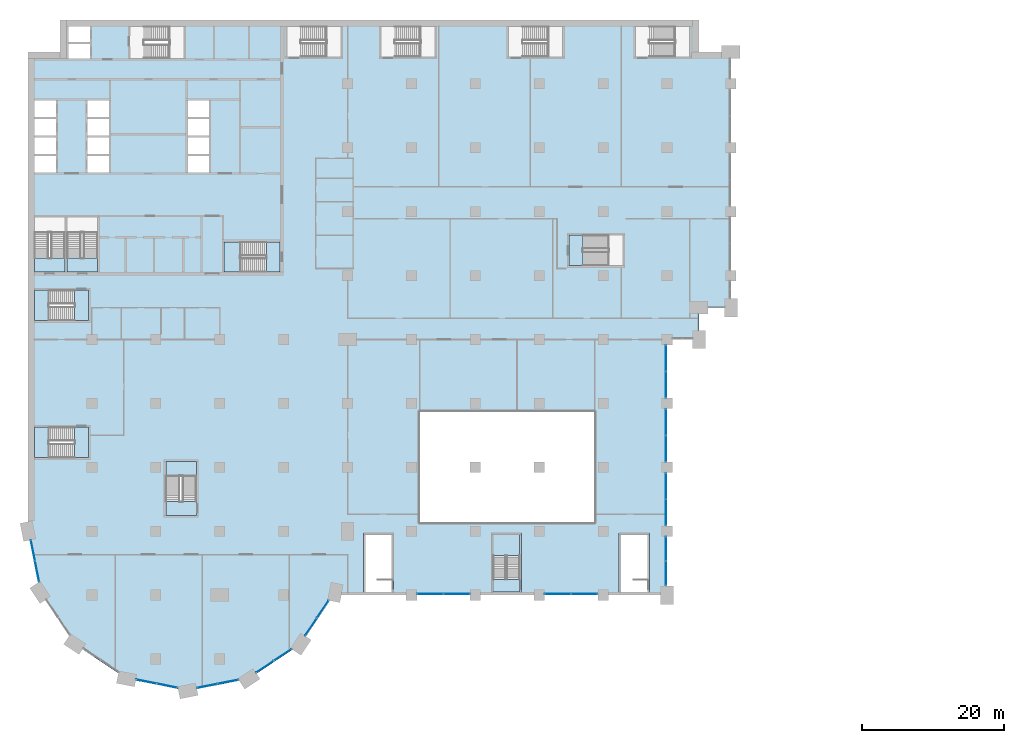
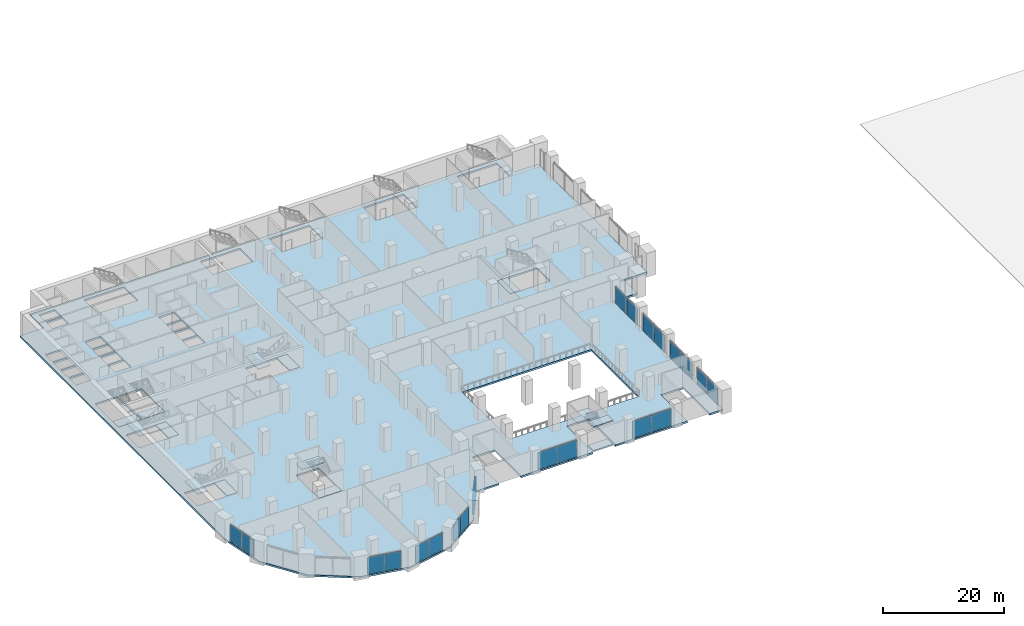
# One storey, part 9 of 32: 22 plates, 15 slabs, 16 elements without a shape of their own.
"""IFC4 building model written with IfcOpenShell, lengths in metres."""

import ifcopenshell
import ifcopenshell.guid

model = None  # the IFC model being written
_history = None  # IfcOwnerHistory: only IFC2X3 demands one
_inside = {}  # id of a spatial element -> (the spatial element, [elements in it])
_under = {}  # id of a project, library or spatial element -> (it, [spatial elements below it])
_declared = {}  # id of a project -> (the project, [libraries it declares])
_typed = {}  # id of a type object -> (the type object, [elements of that type])
_made_of = {}  # id of a material, layer set ... -> (it, [elements and type objects made of it])


def new_model(schema):
    """Start an empty IFC model of exactly this schema.

    Asked for "IFC4X3", IfcOpenShell would pick the latest addendum, in which some entities
    have other attributes; the version numbers below select the first issue.
    IFC2X3 requires an IfcOwnerHistory on every rooted entity: one is made here for all.
    """
    global model, _history
    if schema == "IFC4X3":
        model = ifcopenshell.file(schema_version=(4, 3, 0, 0))
    else:
        model = ifcopenshell.file(schema=schema)
    _inside.clear()
    _under.clear()
    _declared.clear()
    _typed.clear()
    _made_of.clear()
    _history = None
    if model.schema == "IFC2X3":
        org = make("IfcOrganization", Name="unknown")
        user = make(
            "IfcPersonAndOrganization",
            ThePerson=make("IfcPerson", FamilyName="unknown"),
            TheOrganization=org,
        )
        app = make(
            "IfcApplication",
            ApplicationDeveloper=org,
            Version="unknown",
            ApplicationFullName="unknown",
            ApplicationIdentifier="unknown",
        )
        _history = make(
            "IfcOwnerHistory",
            OwningUser=user,
            OwningApplication=app,
            ChangeAction="ADDED",
            CreationDate=0,
        )
    return model


def make(cls, **values):
    """One entity of the class cls with the attributes given. An attribute that is None is left unset."""
    return model.create_entity(
        cls, **{name: value for name, value in values.items() if value is not None}
    )


def rooted(cls, **values):
    """An entity with a GlobalId (a new one), such as an element, a storey or a relation."""
    return make(cls, GlobalId=ifcopenshell.guid.new(), OwnerHistory=_history, **values)


def si_unit(unit_type, name, prefix=None):
    """IfcSIUnit, for example si_unit("LENGTHUNIT", "METRE", prefix="MILLI")."""
    return make("IfcSIUnit", UnitType=unit_type, Prefix=prefix, Name=name)


def assignment(units):
    """IfcUnitAssignment: the units of a project."""
    return None if units is None else make("IfcUnitAssignment", Units=units)


def point(xyz):
    """IfcCartesianPoint."""
    return None if xyz is None else make("IfcCartesianPoint", Coordinates=xyz)


def direction(xyz):
    """IfcDirection."""
    return None if xyz is None else make("IfcDirection", DirectionRatios=xyz)


def frame(location, z_axis=None, x_axis=None):
    """IfcAxis2Placement3D, a coordinate frame: its origin and axes. An axis left out is left unset."""
    return make(
        "IfcAxis2Placement3D",
        Location=point(location),
        Axis=direction(z_axis),
        RefDirection=direction(x_axis),
    )


def frame_2d(location, x_axis=None):
    """IfcAxis2Placement2D, a coordinate frame in the plane: its origin and x axis."""
    return make(
        "IfcAxis2Placement2D", Location=point(location), RefDirection=direction(x_axis)
    )


def origin():
    """The frame at (0, 0, 0) with its axes left unset."""
    return frame((0.0, 0.0, 0.0))


def origin_2d():
    """The frame at (0, 0) in the plane with its x axis left unset."""
    return frame_2d((0.0, 0.0))


def place(relative_to, where):
    """IfcLocalPlacement: puts the frame where relative to a parent placement (None: the world)."""
    return make(
        "IfcLocalPlacement", PlacementRelTo=relative_to, RelativePlacement=where
    )


def context(
    kind, dimensions, precision=None, world=None, true_north=None, identifier=None
):
    """IfcGeometricRepresentationContext, for example the 3D "Model" context."""
    return make(
        "IfcGeometricRepresentationContext",
        ContextIdentifier=identifier,
        ContextType=kind,
        CoordinateSpaceDimension=dimensions,
        Precision=precision,
        WorldCoordinateSystem=world,
        TrueNorth=true_north,
    )


def subcontext(parent, identifier, kind, view, scale=None):
    """IfcGeometricRepresentationSubContext, for example "Body" below "Model"."""
    return make(
        "IfcGeometricRepresentationSubContext",
        ContextIdentifier=identifier,
        ContextType=kind,
        ParentContext=parent,
        TargetScale=scale,
        TargetView=view,
    )


def project(units=None, contexts=None):
    """IfcProject with its units and contexts."""
    return rooted(
        "IfcProject",
        Name="project",
        RepresentationContexts=contexts,
        UnitsInContext=assignment(units),
    )


def spatial(cls, under=None, at=None, **own):
    """A site, building, storey or space (cls), placed at a placement, below another one or the project."""
    s = rooted(cls, ObjectPlacement=at, **own)
    if under is not None:
        _under.setdefault(under.id(), (under, []))[1].append(s)
    return s


def polyline(points):
    """IfcPolyline through the points."""
    return make("IfcPolyline", Points=[point(p) for p in points])


def profile(cls, at=None, kind="AREA", **sizes):
    """A parametric profile (cls). Its sizes go by their IFC names, for example OverallWidth=200.0."""
    return make(cls, ProfileType=kind, Position=at, **sizes)


def rectangle(**sizes):
    """IfcRectangleProfileDef."""
    return profile("IfcRectangleProfileDef", **sizes)


def outline(outer, holes=None, kind="AREA"):
    """IfcArbitraryClosedProfileDef: a profile drawn as a closed curve; with holes, ...WithVoids."""
    if holes is None:
        return make("IfcArbitraryClosedProfileDef", ProfileType=kind, OuterCurve=outer)
    return make(
        "IfcArbitraryProfileDefWithVoids",
        ProfileType=kind,
        OuterCurve=outer,
        InnerCurves=holes,
    )


def extrude(swept, where, along, depth):
    """IfcExtrudedAreaSolid: the profile swept, set in the frame where, extruded along a direction by depth."""
    return make(
        "IfcExtrudedAreaSolid",
        SweptArea=swept,
        Position=where,
        ExtrudedDirection=direction(along),
        Depth=depth,
    )


def shape(context_of_items, identifier, shape_type, items):
    """IfcShapeRepresentation: the items that make up one representation, for example the "Body"."""
    return make(
        "IfcShapeRepresentation",
        ContextOfItems=context_of_items,
        RepresentationIdentifier=identifier,
        RepresentationType=shape_type,
        Items=items,
    )


def material(Name=None, Category=None):
    """IfcMaterial."""
    return make("IfcMaterial", Name=Name, Category=Category)


def layer(
    of_material, thickness, ventilated=None, Name=None, Category=None, Priority=None
):
    """IfcMaterialLayer: one layer of a wall or slab, of a material (None: an air gap)."""
    return make(
        "IfcMaterialLayer",
        Material=of_material,
        LayerThickness=thickness,
        IsVentilated=ventilated,
        Name=Name,
        Category=Category,
        Priority=Priority,
    )


def layer_set(layers, Name=None):
    """IfcMaterialLayerSet."""
    return make("IfcMaterialLayerSet", MaterialLayers=layers, LayerSetName=Name)


def made_of(thing, what):
    """Note that an element or type object is made of a material, layer set ...; save() writes the relation."""
    if what is not None:
        _made_of.setdefault(what.id(), (what, []))[1].append(thing)
    return thing


def type_object(cls, material=None, **own):
    """A type object (cls), such as IfcWallType, which elements share."""
    return made_of(rooted(cls, **own), material)


def element(
    cls,
    number,
    at=None,
    inside=None,
    cuts=None,
    type_object=None,
    material=None,
    context=None,
    identifier="Body",
    shape_type=None,
    held_by="IfcProductDefinitionShape",
    body=None,
    shapes=None,
    **own,
):
    """One element of the class cls, such as IfcWall. Its Tag is "e" and its number.

    at: its placement. inside: the storey or other place that contains it. cuts: it is an
    opening in that element (IfcRelVoidsElement). A single representation is given by context,
    identifier, shape_type and body (its items); several are given by shapes. held_by: the class
    of the entity that holds the representations. save() writes the other relations.
    """
    e = rooted(cls, Tag="e%d" % number, ObjectPlacement=at, **own)
    if body is not None:
        shapes = [shape(context, identifier, shape_type, body)]
    if shapes is not None:
        e.Representation = make(held_by, Representations=shapes)
    if inside is not None:
        _inside.setdefault(inside.id(), (inside, []))[1].append(e)
    if cuts is not None:
        rooted(
            "IfcRelVoidsElement", RelatingBuildingElement=cuts, RelatedOpeningElement=e
        )
    if type_object is not None:
        _typed.setdefault(type_object.id(), (type_object, []))[1].append(e)
    return made_of(e, material)


def aggregate(whole, parts):
    """IfcRelAggregates: a whole, such as a stair, and the parts it consists of."""
    return rooted("IfcRelAggregates", RelatingObject=whole, RelatedObjects=parts)


def save(model, path):
    """Write the relations noted so far, then the file.

    IfcRelAggregates (storeys below a building ...), IfcRelContainedInSpatialStructure (elements
    in a storey), IfcRelDefinesByType, IfcRelAssociatesMaterial and IfcRelDeclares: one each for
    every whole, place, type object, material and project.
    """
    for whole, parts in _under.values():
        aggregate(whole, parts)
    for where, things in _inside.values():
        rooted(
            "IfcRelContainedInSpatialStructure",
            RelatedElements=things,
            RelatingStructure=where,
        )
    for kind, things in _typed.values():
        rooted("IfcRelDefinesByType", RelatedObjects=things, RelatingType=kind)
    for what, things in _made_of.values():
        rooted("IfcRelAssociatesMaterial", RelatedObjects=things, RelatingMaterial=what)
    for by, libraries in _declared.values():
        rooted("IfcRelDeclares", RelatingContext=by, RelatedDefinitions=libraries)
    model.write(path)


model = new_model("IFC4")

# Units and contexts
model_context = context("Model", 3, precision=1e-05, world=origin(), true_north=direction((0.0, 1.0)))
body_context = subcontext(model_context, "Body", "Model", "MODEL_VIEW")
ifc_project = project(units=[si_unit("LENGTHUNIT", "METRE"), si_unit("AREAUNIT", "SQUARE_METRE"), si_unit("VOLUMEUNIT", "CUBIC_METRE"), si_unit("PLANEANGLEUNIT", "RADIAN"), si_unit("MASSUNIT", "GRAM", prefix="KILO")], contexts=[model_context])

# Site, building, storey
site_placement = place(None, origin())
site = spatial("IfcSite", under=ifc_project, at=site_placement, CompositionType="ELEMENT")
building_placement = place(site_placement, origin())
building = spatial("IfcBuilding", under=site, at=building_placement, Name="Hunhe Ridgeline Campus", CompositionType="ELEMENT")
storey_placement = place(building_placement, frame((0.0, 0.0, 26.39990234375)))
storey = spatial("IfcBuildingStorey", under=building, at=storey_placement, Name="L05", CompositionType="ELEMENT", Elevation=26.39990234375)

# Curtain wall, plates
ifc_material_1 = material(Name="Aluminium and glass", Category="aluminium")
curtain_wall_type = type_object("IfcCurtainWallType", Name="Podium curtain wall CW-2", PredefinedType="NOTDEFINED", material=ifc_material_1)
curtain_wall_1_placement = place(storey_placement, origin())
curtain_wall_1 = element("IfcCurtainWall", 1, at=curtain_wall_1_placement, inside=storey, type_object=curtain_wall_type, Name="L05 podium curtain wall 9", PredefinedType="NOTDEFINED")
ifc_material_2 = material(Name="Clear glass", Category="glass")
ifc_layer_1 = layer(ifc_material_2, 0.028076171875)
ifc_layer_set_1 = layer_set([ifc_layer_1], Name="CW-2 clear glass panel 28")
plate_type = type_object("IfcPlateType", Name="CW-2 clear glass panel 28", PredefinedType="CURTAIN_PANEL", material=ifc_layer_set_1)
plate_1_placement = place(storey_placement, frame((0.69677734375, 24.265869140625, 0.06005859375), z_axis=(0.0, 0.0, 1.0), x_axis=(0.195098458454, -0.98078366193, 0.0)))
plate_1 = element("IfcPlate", 2, at=plate_1_placement, type_object=plate_type, Name="CW2 panel 1.1", PredefinedType="CURTAIN_PANEL", context=body_context, shape_type="SweptSolid", body=[
    extrude(rectangle(XDim=2.914794921875, YDim=0.028076171875, at=origin_2d()), origin(), (0.0, 0.0, 1.0), 3.429931640625),
])
plate_2_placement = place(storey_placement, frame((1.277099609375, 21.34814453125, 0.06005859375), z_axis=(0.0, 0.0, 1.0), x_axis=(0.195098458454, -0.98078366193, 0.0)))
plate_2 = element("IfcPlate", 3, at=plate_2_placement, type_object=plate_type, Name="CW2 panel 2.1", PredefinedType="CURTAIN_PANEL", context=body_context, shape_type="SweptSolid", body=[
    extrude(rectangle(XDim=2.914794921875, YDim=0.028076171875, at=origin_2d()), origin(), (0.0, 0.0, 1.0), 3.429931640625),
])
aggregate(curtain_wall_1, [plate_1, plate_2])

curtain_wall_2_placement = place(storey_placement, origin())
curtain_wall_2 = element("IfcCurtainWall", 4, at=curtain_wall_2_placement, inside=storey, type_object=curtain_wall_type, Name="L05 podium curtain wall 12", PredefinedType="NOTDEFINED")
plate_3_placement = place(storey_placement, frame((16.68212890625, 5.81005859375, 0.06005859375), z_axis=(0.0, 0.0, 1.0), x_axis=(0.980787479014, -0.195079268527, 0.0)))
plate_3 = element("IfcPlate", 5, at=plate_3_placement, type_object=plate_type, Name="CW2 panel 1.1", PredefinedType="CURTAIN_PANEL", context=body_context, shape_type="SweptSolid", body=[
    extrude(rectangle(XDim=2.9150390625, YDim=0.028076171875, at=origin_2d()), origin(), (0.0, 0.0, 1.0), 3.429931640625),
])
plate_4_placement = place(storey_placement, frame((19.60009765625, 5.229736328125, 0.06005859375), z_axis=(0.0, 0.0, 1.0), x_axis=(0.980787479014, -0.195079268527, 0.0)))
plate_4 = element("IfcPlate", 6, at=plate_4_placement, type_object=plate_type, Name="CW2 panel 2.1", PredefinedType="CURTAIN_PANEL", context=body_context, shape_type="SweptSolid", body=[
    extrude(rectangle(XDim=2.9150390625, YDim=0.028076171875, at=origin_2d()), origin(), (0.0, 0.0, 1.0), 3.429931640625),
])
aggregate(curtain_wall_2, [plate_3, plate_4])

curtain_wall_3_placement = place(storey_placement, origin())
curtain_wall_3 = element("IfcCurtainWall", 7, at=curtain_wall_3_placement, inside=storey, type_object=curtain_wall_type, Name="L05 podium curtain wall 13", PredefinedType="NOTDEFINED")
plate_5_placement = place(storey_placement, frame((25.234130859375, 5.19677734375, 0.06005859375), z_axis=(0.0, 0.0, 1.0), x_axis=(0.98078366193, 0.195098458454, 0.0)))
plate_5 = element("IfcPlate", 8, at=plate_5_placement, type_object=plate_type, Name="CW2 panel 1.1", PredefinedType="CURTAIN_PANEL", context=body_context, shape_type="SweptSolid", body=[
    extrude(rectangle(XDim=2.914794921875, YDim=0.028076171875, at=origin_2d()), origin(), (0.0, 0.0, 1.0), 3.429931640625),
])
plate_6_placement = place(storey_placement, frame((28.15185546875, 5.777099609375, 0.06005859375), z_axis=(0.0, 0.0, 1.0), x_axis=(0.98078366193, 0.195098458454, 0.0)))
plate_6 = element("IfcPlate", 9, at=plate_6_placement, type_object=plate_type, Name="CW2 panel 2.1", PredefinedType="CURTAIN_PANEL", context=body_context, shape_type="SweptSolid", body=[
    extrude(rectangle(XDim=2.914794921875, YDim=0.028076171875, at=origin_2d()), origin(), (0.0, 0.0, 1.0), 3.429931640625),
])
aggregate(curtain_wall_3, [plate_5, plate_6])

curtain_wall_4_placement = place(storey_placement, origin())
curtain_wall_4 = element("IfcCurtainWall", 10, at=curtain_wall_4_placement, inside=storey, type_object=curtain_wall_type, Name="L05 podium curtain wall 14", PredefinedType="NOTDEFINED")
plate_7_placement = place(storey_placement, frame((33.36962890625, 7.90283203125, 0.06005859375), z_axis=(0.0, 0.0, 1.0), x_axis=(0.831463604177, 0.555579224709, 0.0)))
plate_7 = element("IfcPlate", 11, at=plate_7_placement, type_object=plate_type, Name="CW2 panel 1.1", PredefinedType="CURTAIN_PANEL", context=body_context, shape_type="SweptSolid", body=[
    extrude(rectangle(XDim=2.914794921875, YDim=0.028076171875, at=origin_2d()), origin(), (0.0, 0.0, 1.0), 3.429931640625),
])
plate_8_placement = place(storey_placement, frame((35.84326171875, 9.555419921875, 0.06005859375), z_axis=(0.0, 0.0, 1.0), x_axis=(0.831463604177, 0.555579224709, 0.0)))
plate_8 = element("IfcPlate", 12, at=plate_8_placement, type_object=plate_type, Name="CW2 panel 2.1", PredefinedType="CURTAIN_PANEL", context=body_context, shape_type="SweptSolid", body=[
    extrude(rectangle(XDim=2.914794921875, YDim=0.028076171875, at=origin_2d()), origin(), (0.0, 0.0, 1.0), 3.429931640625),
])
aggregate(curtain_wall_4, [plate_7, plate_8])

curtain_wall_5_placement = place(storey_placement, origin())
curtain_wall_5 = element("IfcCurtainWall", 13, at=curtain_wall_5_placement, inside=storey, type_object=curtain_wall_type, Name="L05 podium curtain wall 15", PredefinedType="NOTDEFINED")
plate_9_placement = place(storey_placement, frame((39.850341796875, 13.51611328125, 0.06005859375), z_axis=(0.0, 0.0, 1.0), x_axis=(0.555571538247, 0.831468740176, 0.0)))
plate_9 = element("IfcPlate", 14, at=plate_9_placement, type_object=plate_type, Name="CW2 panel 1.1", PredefinedType="CURTAIN_PANEL", context=body_context, shape_type="SweptSolid", body=[
    extrude(rectangle(XDim=2.9150390625, YDim=0.028076171875, at=origin_2d()), origin(), (0.0, 0.0, 1.0), 3.429931640625),
])
plate_10_placement = place(storey_placement, frame((41.503173828125, 15.989501953125, 0.06005859375), z_axis=(0.0, 0.0, 1.0), x_axis=(0.555571538247, 0.831468740176, 0.0)))
plate_10 = element("IfcPlate", 15, at=plate_10_placement, type_object=plate_type, Name="CW2 panel 2.1", PredefinedType="CURTAIN_PANEL", context=body_context, shape_type="SweptSolid", body=[
    extrude(rectangle(XDim=2.9150390625, YDim=0.028076171875, at=origin_2d()), origin(), (0.0, 0.0, 1.0), 3.429931640625),
])
aggregate(curtain_wall_5, [plate_9, plate_10])

curtain_wall_6_placement = place(storey_placement, origin())
curtain_wall_6 = element("IfcCurtainWall", 16, at=curtain_wall_6_placement, inside=storey, type_object=curtain_wall_type, Name="L05 podium curtain wall 17", PredefinedType="NOTDEFINED")
plate_11_placement = place(storey_placement, frame((56.639892578125, 18.14990234375, 0.06005859375), z_axis=(0.0, 0.0, 1.0), x_axis=(1.0, 0.0, 0.0)))
plate_11 = element("IfcPlate", 17, at=plate_11_placement, type_object=plate_type, Name="CW2 panel 1.1", PredefinedType="CURTAIN_PANEL", context=body_context, shape_type="SweptSolid", body=[
    extrude(rectangle(XDim=3.659912109375, YDim=0.028076171875, at=origin_2d()), origin(), (0.0, 0.0, 1.0), 3.429931640625),
])
plate_12_placement = place(storey_placement, frame((60.360107421875, 18.14990234375, 0.06005859375), z_axis=(0.0, 0.0, 1.0), x_axis=(1.0, 0.0, 0.0)))
plate_12 = element("IfcPlate", 18, at=plate_12_placement, type_object=plate_type, Name="CW2 panel 2.1", PredefinedType="CURTAIN_PANEL", context=body_context, shape_type="SweptSolid", body=[
    extrude(rectangle(XDim=3.659912109375, YDim=0.028076171875, at=origin_2d()), origin(), (0.0, 0.0, 1.0), 3.429931640625),
])
aggregate(curtain_wall_6, [plate_11, plate_12])

curtain_wall_7_placement = place(storey_placement, origin())
curtain_wall_7 = element("IfcCurtainWall", 19, at=curtain_wall_7_placement, inside=storey, type_object=curtain_wall_type, Name="L05 podium curtain wall 19", PredefinedType="NOTDEFINED")
plate_13_placement = place(storey_placement, frame((74.639892578125, 18.14990234375, 0.06005859375), z_axis=(0.0, 0.0, 1.0), x_axis=(1.0, 0.0, 0.0)))
plate_13 = element("IfcPlate", 20, at=plate_13_placement, type_object=plate_type, Name="CW2 panel 1.1", PredefinedType="CURTAIN_PANEL", context=body_context, shape_type="SweptSolid", body=[
    extrude(rectangle(XDim=3.659912109375, YDim=0.028076171875, at=origin_2d()), origin(), (0.0, 0.0, 1.0), 3.429931640625),
])
plate_14_placement = place(storey_placement, frame((78.360107421875, 18.14990234375, 0.06005859375), z_axis=(0.0, 0.0, 1.0), x_axis=(1.0, 0.0, 0.0)))
plate_14 = element("IfcPlate", 21, at=plate_14_placement, type_object=plate_type, Name="CW2 panel 2.1", PredefinedType="CURTAIN_PANEL", context=body_context, shape_type="SweptSolid", body=[
    extrude(rectangle(XDim=3.659912109375, YDim=0.028076171875, at=origin_2d()), origin(), (0.0, 0.0, 1.0), 3.429931640625),
])
aggregate(curtain_wall_7, [plate_13, plate_14])

curtain_wall_8_placement = place(storey_placement, origin())
curtain_wall_8 = element("IfcCurtainWall", 22, at=curtain_wall_8_placement, inside=storey, type_object=curtain_wall_type, Name="L05 podium curtain wall 21", PredefinedType="NOTDEFINED")
plate_15_placement = place(storey_placement, frame((89.85009765625, 21.052490234375, 0.06005859375), z_axis=(0.0, 0.0, 1.0), x_axis=(0.0, 1.0, 0.0)))
plate_15 = element("IfcPlate", 23, at=plate_15_placement, type_object=plate_type, Name="CW2 panel 1.1", PredefinedType="CURTAIN_PANEL", context=body_context, shape_type="SweptSolid", body=[
    extrude(rectangle(XDim=3.385009765625, YDim=0.028076171875, at=origin_2d()), origin(), (0.0, 0.0, 1.0), 3.429931640625),
])
plate_16_placement = place(storey_placement, frame((89.85009765625, 24.49755859375, 0.06005859375), z_axis=(0.0, 0.0, 1.0), x_axis=(0.0, 1.0, 0.0)))
plate_16 = element("IfcPlate", 24, at=plate_16_placement, type_object=plate_type, Name="CW2 panel 2.1", PredefinedType="CURTAIN_PANEL", context=body_context, shape_type="SweptSolid", body=[
    extrude(rectangle(XDim=3.385009765625, YDim=0.028076171875, at=origin_2d()), origin(), (0.0, 0.0, 1.0), 3.429931640625),
])
aggregate(curtain_wall_8, [plate_15, plate_16])

curtain_wall_9_placement = place(storey_placement, origin())
curtain_wall_9 = element("IfcCurtainWall", 25, at=curtain_wall_9_placement, inside=storey, type_object=curtain_wall_type, Name="L05 podium curtain wall 22", PredefinedType="NOTDEFINED")
plate_17_placement = place(storey_placement, frame((89.85009765625, 29.639892578125, 0.06005859375), z_axis=(0.0, 0.0, 1.0), x_axis=(0.0, 1.0, 0.0)))
plate_17 = element("IfcPlate", 26, at=plate_17_placement, type_object=plate_type, Name="CW2 panel 1.1", PredefinedType="CURTAIN_PANEL", context=body_context, shape_type="SweptSolid", body=[
    extrude(rectangle(XDim=3.659912109375, YDim=0.028076171875, at=origin_2d()), origin(), (0.0, 0.0, 1.0), 3.429931640625),
])
plate_18_placement = place(storey_placement, frame((89.85009765625, 33.360107421875, 0.06005859375), z_axis=(0.0, 0.0, 1.0), x_axis=(0.0, 1.0, 0.0)))
plate_18 = element("IfcPlate", 27, at=plate_18_placement, type_object=plate_type, Name="CW2 panel 2.1", PredefinedType="CURTAIN_PANEL", context=body_context, shape_type="SweptSolid", body=[
    extrude(rectangle(XDim=3.659912109375, YDim=0.028076171875, at=origin_2d()), origin(), (0.0, 0.0, 1.0), 3.429931640625),
])
aggregate(curtain_wall_9, [plate_17, plate_18])

curtain_wall_10_placement = place(storey_placement, origin())
curtain_wall_10 = element("IfcCurtainWall", 28, at=curtain_wall_10_placement, inside=storey, type_object=curtain_wall_type, Name="L05 podium curtain wall 23", PredefinedType="NOTDEFINED")
plate_19_placement = place(storey_placement, frame((89.85009765625, 38.639892578125, 0.06005859375), z_axis=(0.0, 0.0, 1.0), x_axis=(0.0, 1.0, 0.0)))
plate_19 = element("IfcPlate", 29, at=plate_19_placement, type_object=plate_type, Name="CW2 panel 1.1", PredefinedType="CURTAIN_PANEL", context=body_context, shape_type="SweptSolid", body=[
    extrude(rectangle(XDim=3.659912109375, YDim=0.028076171875, at=origin_2d()), origin(), (0.0, 0.0, 1.0), 3.429931640625),
])
plate_20_placement = place(storey_placement, frame((89.85009765625, 42.360107421875, 0.06005859375), z_axis=(0.0, 0.0, 1.0), x_axis=(0.0, 1.0, 0.0)))
plate_20 = element("IfcPlate", 30, at=plate_20_placement, type_object=plate_type, Name="CW2 panel 2.1", PredefinedType="CURTAIN_PANEL", context=body_context, shape_type="SweptSolid", body=[
    extrude(rectangle(XDim=3.659912109375, YDim=0.028076171875, at=origin_2d()), origin(), (0.0, 0.0, 1.0), 3.429931640625),
])
aggregate(curtain_wall_10, [plate_19, plate_20])

curtain_wall_11_placement = place(storey_placement, origin())
curtain_wall_11 = element("IfcCurtainWall", 31, at=curtain_wall_11_placement, inside=storey, type_object=curtain_wall_type, Name="L05 podium curtain wall 24", PredefinedType="NOTDEFINED")
plate_21_placement = place(storey_placement, frame((89.85009765625, 47.639892578125, 0.06005859375), z_axis=(0.0, 0.0, 1.0), x_axis=(0.0, 1.0, 0.0)))
plate_21 = element("IfcPlate", 32, at=plate_21_placement, type_object=plate_type, Name="CW2 panel 1.1", PredefinedType="CURTAIN_PANEL", context=body_context, shape_type="SweptSolid", body=[
    extrude(rectangle(XDim=3.659912109375, YDim=0.028076171875, at=origin_2d()), origin(), (0.0, 0.0, 1.0), 3.429931640625),
])
plate_22_placement = place(storey_placement, frame((89.85009765625, 51.360107421875, 0.06005859375), z_axis=(0.0, 0.0, 1.0), x_axis=(0.0, 1.0, 0.0)))
plate_22 = element("IfcPlate", 33, at=plate_22_placement, type_object=plate_type, Name="CW2 panel 2.1", PredefinedType="CURTAIN_PANEL", context=body_context, shape_type="SweptSolid", body=[
    extrude(rectangle(XDim=3.659912109375, YDim=0.028076171875, at=origin_2d()), origin(), (0.0, 0.0, 1.0), 3.429931640625),
])
aggregate(curtain_wall_11, [plate_21, plate_22])

# Slab
ifc_material_3 = material(Name="Concrete C40", Category="concrete")
ifc_layer_2 = layer(ifc_material_3, 0.35009765625)
ifc_layer_set_2 = layer_set([ifc_layer_2], Name="Podium floor slab 350 C40")
slab_type_1 = type_object("IfcSlabType", Name="Podium floor slab 350 C40", PredefinedType="FLOOR", material=ifc_layer_set_2)
slab_1_placement = place(storey_placement, frame((0.0, 0.0, -0.349853515625)))
element("IfcSlab", 34, at=slab_1_placement, inside=storey, type_object=slab_type_1, Name="L05 floor slab 1", PredefinedType="FLOOR", context=body_context, shape_type="SweptSolid", body=[
    extrude(outline(polyline([(90.0, 18.0), (90.0, 54.0), (94.5, 54.0), (94.5, 58.5), (99.0, 58.5), (99.0, 94.5), (94.5, 94.5), (94.5, 99.0), (4.5, 99.0), (4.5, 94.5), (0.0, 94.5), (0.0, 27.0), (1.712646484375, 18.3896484375), (6.590087890625, 11.090087890625), (13.8896484375, 6.212646484375), (22.5, 4.5), (31.1103515625, 6.212646484375), (38.409912109375, 11.090087890625), (43.027099609375, 18.0), (47.25, 18.0), (47.25, 26.75), (51.5, 26.75), (51.5, 18.0), (65.25, 18.0), (65.25, 26.75), (69.5, 26.75), (69.5, 18.0), (83.25, 18.0), (83.25, 26.75), (87.5, 26.75), (87.5, 18.0), (90.0, 18.0)]), holes=[polyline([(0.89990234375, 41.64990234375), (0.89990234375, 37.35009765625), (8.5, 37.35009765625), (8.5, 41.64990234375), (0.89990234375, 41.64990234375)]), polyline([(8.5, 60.949951171875), (0.89990234375, 60.949951171875), (0.89990234375, 56.64990234375), (8.5, 56.64990234375), (8.5, 60.949951171875)]), polyline([(5.199951171875, 63.5), (5.199951171875, 71.25), (0.89990234375, 71.25), (0.89990234375, 63.5), (5.199951171875, 63.5)]), polyline([(9.800048828125, 63.5), (9.800048828125, 71.25), (5.5, 71.25), (5.5, 63.5), (9.800048828125, 63.5)]), polyline([(0.89990234375, 77.550048828125), (3.89990234375, 77.550048828125), (3.89990234375, 79.85009765625), (0.89990234375, 79.85009765625), (0.89990234375, 77.550048828125)]), polyline([(8.39990234375, 77.550048828125), (11.39990234375, 77.550048828125), (11.39990234375, 79.85009765625), (8.39990234375, 79.85009765625), (8.39990234375, 77.550048828125)]), polyline([(0.89990234375, 80.14990234375), (3.89990234375, 80.14990234375), (3.89990234375, 82.449951171875), (0.89990234375, 82.449951171875), (0.89990234375, 80.14990234375)]), polyline([(8.39990234375, 80.14990234375), (11.39990234375, 80.14990234375), (11.39990234375, 82.449951171875), (8.39990234375, 82.449951171875), (8.39990234375, 80.14990234375)]), polyline([(0.89990234375, 82.75), (3.89990234375, 82.75), (3.89990234375, 85.050048828125), (0.89990234375, 85.050048828125), (0.89990234375, 82.75)]), polyline([(8.39990234375, 82.75), (11.39990234375, 82.75), (11.39990234375, 85.050048828125), (8.39990234375, 85.050048828125), (8.39990234375, 82.75)]), polyline([(0.89990234375, 85.35009765625), (3.89990234375, 85.35009765625), (3.89990234375, 87.64990234375), (0.89990234375, 87.64990234375), (0.89990234375, 85.35009765625)]), polyline([(8.39990234375, 85.35009765625), (11.39990234375, 85.35009765625), (11.39990234375, 87.64990234375), (8.39990234375, 87.64990234375), (8.39990234375, 85.35009765625)]), polyline([(5.699951171875, 93.60009765625), (8.699951171875, 93.60009765625), (8.699951171875, 95.60009765625), (5.699951171875, 95.60009765625), (5.699951171875, 93.60009765625)]), polyline([(14.35009765625, 93.60009765625), (21.949951171875, 93.60009765625), (21.949951171875, 98.10009765625), (14.35009765625, 98.10009765625), (14.35009765625, 93.60009765625)]), polyline([(5.699951171875, 95.89990234375), (8.699951171875, 95.89990234375), (8.699951171875, 98.10009765625), (5.699951171875, 98.10009765625), (5.699951171875, 95.89990234375)]), polyline([(23.699951171875, 29.199951171875), (23.699951171875, 36.800048828125), (19.39990234375, 36.800048828125), (19.39990234375, 29.199951171875), (23.699951171875, 29.199951171875)]), polyline([(55.199951171875, 28.199951171875), (79.800048828125, 28.199951171875), (79.800048828125, 43.800048828125), (55.199951171875, 43.800048828125), (55.199951171875, 28.199951171875)]), polyline([(35.5, 67.75), (27.60009765625, 67.75), (27.60009765625, 63.5), (35.5, 63.5), (35.5, 67.75)]), polyline([(76.199951171875, 64.39990234375), (83.800048828125, 64.39990234375), (83.800048828125, 68.699951171875), (76.199951171875, 68.699951171875), (76.199951171875, 64.39990234375)]), polyline([(22.5, 77.550048828125), (25.5, 77.550048828125), (25.5, 79.85009765625), (22.5, 79.85009765625), (22.5, 77.550048828125)]), polyline([(22.5, 80.14990234375), (25.5, 80.14990234375), (25.5, 82.449951171875), (22.5, 82.449951171875), (22.5, 80.14990234375)]), polyline([(22.5, 82.75), (25.5, 82.75), (25.5, 85.050048828125), (22.5, 85.050048828125), (22.5, 82.75)]), polyline([(22.5, 85.35009765625), (25.5, 85.35009765625), (25.5, 87.64990234375), (22.5, 87.64990234375), (22.5, 85.35009765625)]), polyline([(36.449951171875, 93.800048828125), (44.050048828125, 93.800048828125), (44.050048828125, 98.10009765625), (36.449951171875, 98.10009765625), (36.449951171875, 93.800048828125)]), polyline([(49.699951171875, 93.800048828125), (57.300048828125, 93.800048828125), (57.300048828125, 98.10009765625), (49.699951171875, 98.10009765625), (49.699951171875, 93.800048828125)]), polyline([(67.699951171875, 93.800048828125), (75.300048828125, 93.800048828125), (75.300048828125, 98.10009765625), (67.699951171875, 98.10009765625), (67.699951171875, 93.800048828125)]), polyline([(85.550048828125, 93.800048828125), (93.14990234375, 93.800048828125), (93.14990234375, 98.10009765625), (85.550048828125, 98.10009765625), (85.550048828125, 93.800048828125)])]), origin(), (0.0, 0.0, 1.0), 0.349853515625),
])

# Stair, slabs
stair_type_1 = type_object("IfcStairType", Name="Podium exit stair 1800", PredefinedType="HALF_TURN_STAIR", material=ifc_material_3)
stair_1_placement = place(storey_placement, origin())
stair_1 = element("IfcStair", 35, at=stair_1_placement, inside=storey, type_object=stair_type_1, Name="L05 podium stair PS2", PredefinedType="HALF_TURN_STAIR")
ifc_layer_3 = layer(ifc_material_3, 0.199951171875)
ifc_layer_set_3 = layer_set([ifc_layer_3], Name="Podium stair landing 200 C40")
slab_type_2 = type_object("IfcSlabType", Name="Podium stair landing 200 C40", PredefinedType="LANDING", material=ifc_layer_set_3)
slab_2_placement = place(storey_placement, frame((0.0, 0.0, 2.2001953125)))
slab_2 = element("IfcSlab", 36, at=slab_2_placement, type_object=slab_type_2, Name="PS2 landing 1", PredefinedType="LANDING", context=body_context, shape_type="SweptSolid", body=[
    extrude(outline(polyline([(69.25, 23.580078125), (69.25, 26.5), (65.5, 26.5), (65.5, 23.580078125), (69.25, 23.580078125)])), origin(), (0.0, 0.0, 1.0), 0.199951171875),
])
slab_3_placement = place(storey_placement, frame((0.0, 0.0, -0.199951171875)))
slab_3 = element("IfcSlab", 37, at=slab_3_placement, type_object=slab_type_2, Name="PS2 landing 2", PredefinedType="LANDING", context=body_context, shape_type="SweptSolid", body=[
    extrude(outline(polyline([(65.5, 18.39990234375), (69.25, 18.39990234375), (69.25, 20.199951171875), (65.5, 20.199951171875), (65.5, 18.39990234375)])), origin(), (0.0, 0.0, 1.0), 0.199951171875),
])
slab_4_placement = place(storey_placement, frame((0.0, 0.0, 4.60009765625)))
slab_4 = element("IfcSlab", 38, at=slab_4_placement, type_object=slab_type_2, Name="PS2 landing 3", PredefinedType="LANDING", context=body_context, shape_type="SweptSolid", body=[
    extrude(outline(polyline([(65.5, 18.39990234375), (69.25, 18.39990234375), (69.25, 20.199951171875), (65.5, 20.199951171875), (65.5, 18.39990234375)])), origin(), (0.0, 0.0, 1.0), 0.199951171875),
])
aggregate(stair_1, [slab_2, slab_3, slab_4])

# Stair, slab
stair_type_2 = type_object("IfcStairType", Name="Reinforced concrete dog-leg stair 1950 Concrete C40", PredefinedType="HALF_TURN_STAIR", material=ifc_material_3)
stair_2_placement = place(storey_placement, origin())
stair_2 = element("IfcStair", 39, at=stair_2_placement, inside=storey, type_object=stair_type_2, Name="L05 S2", PredefinedType="HALF_TURN_STAIR")
ifc_layer_4 = layer(ifc_material_3, 0.199951171875)
ifc_layer_set_4 = layer_set([ifc_layer_4], Name="Reinforced concrete stair landing 200 Concrete C40")
slab_type_3 = type_object("IfcSlabType", Name="Reinforced concrete stair landing 200 Concrete C40", PredefinedType="LANDING", material=ifc_layer_set_4)
slab_5_placement = place(storey_placement, frame((0.0, 0.0, 2.2001953125)))
slab_5 = element("IfcSlab", 40, at=slab_5_placement, type_object=slab_type_3, Name="ST2 landing 1", PredefinedType="LANDING", context=body_context, shape_type="SweptSolid", body=[
    extrude(outline(polyline([(29.909912109375, 67.75), (27.60009765625, 67.75), (27.60009765625, 63.5), (29.909912109375, 63.5), (29.909912109375, 67.75)])), origin(), (0.0, 0.0, 1.0), 0.199951171875),
])
aggregate(stair_2, [slab_5])

# Slabs
slab_6_placement = place(storey_placement, frame((0.0, 0.0, -0.199951171875)))
element("IfcSlab", 41, at=slab_6_placement, inside=storey, type_object=slab_type_3, Name="L05 stair S2 floor landing", PredefinedType="LANDING", context=body_context, shape_type="SweptSolid", body=[
    extrude(outline(polyline([(35.5, 67.75), (33.550048828125, 67.75), (33.550048828125, 63.5), (35.5, 63.5), (35.5, 67.75)])), origin(), (0.0, 0.0, 1.0), 0.199951171875),
])
slab_7_placement = place(storey_placement, frame((0.0, 0.0, -0.199951171875)))
element("IfcSlab", 42, at=slab_7_placement, inside=storey, type_object=slab_type_3, Name="L05 stair S3 floor landing", PredefinedType="LANDING", context=body_context, shape_type="SweptSolid", body=[
    extrude(outline(polyline([(5.199951171875, 63.5), (5.199951171875, 65.449951171875), (0.89990234375, 65.449951171875), (0.89990234375, 63.5), (5.199951171875, 63.5)])), origin(), (0.0, 0.0, 1.0), 0.199951171875),
])
slab_8_placement = place(storey_placement, frame((0.0, 0.0, -0.199951171875)))
element("IfcSlab", 43, at=slab_8_placement, inside=storey, type_object=slab_type_3, Name="L05 stair S4 floor landing", PredefinedType="LANDING", context=body_context, shape_type="SweptSolid", body=[
    extrude(outline(polyline([(9.800048828125, 63.5), (9.800048828125, 65.449951171875), (5.5, 65.449951171875), (5.5, 63.5), (9.800048828125, 63.5)])), origin(), (0.0, 0.0, 1.0), 0.199951171875),
])

# Stair, slab
stair_3_placement = place(storey_placement, origin())
stair_3 = element("IfcStair", 44, at=stair_3_placement, inside=storey, type_object=stair_type_2, Name="L05 W3", PredefinedType="HALF_TURN_STAIR")
slab_9_placement = place(storey_placement, frame((0.0, 0.0, 2.2001953125)))
slab_9 = element("IfcSlab", 45, at=slab_9_placement, type_object=slab_type_3, Name="ST9 landing 1", PredefinedType="LANDING", context=body_context, shape_type="SweptSolid", body=[
    extrude(outline(polyline([(23.699951171875, 34.7900390625), (23.699951171875, 36.800048828125), (19.39990234375, 36.800048828125), (19.39990234375, 34.7900390625), (23.699951171875, 34.7900390625)])), origin(), (0.0, 0.0, 1.0), 0.199951171875),
])
aggregate(stair_3, [slab_9])

# Slabs
slab_10_placement = place(storey_placement, frame((0.0, 0.0, -0.199951171875)))
element("IfcSlab", 46, at=slab_10_placement, inside=storey, type_object=slab_type_3, Name="L05 stair W3 floor landing", PredefinedType="LANDING", context=body_context, shape_type="SweptSolid", body=[
    extrude(outline(polyline([(23.699951171875, 29.199951171875), (23.699951171875, 31.14990234375), (19.39990234375, 31.14990234375), (19.39990234375, 29.199951171875), (23.699951171875, 29.199951171875)])), origin(), (0.0, 0.0, 1.0), 0.199951171875),
])
slab_11_placement = place(storey_placement, frame((0.0, 0.0, -0.199951171875)))
element("IfcSlab", 47, at=slab_11_placement, inside=storey, type_object=slab_type_3, Name="L05 stair E5 floor landing", PredefinedType="LANDING", context=body_context, shape_type="SweptSolid", body=[
    extrude(outline(polyline([(76.199951171875, 64.39990234375), (78.14990234375, 64.39990234375), (78.14990234375, 68.699951171875), (76.199951171875, 68.699951171875), (76.199951171875, 64.39990234375)])), origin(), (0.0, 0.0, 1.0), 0.199951171875),
])

# Stair, slab
stair_4_placement = place(storey_placement, origin())
stair_4 = element("IfcStair", 48, at=stair_4_placement, inside=storey, type_object=stair_type_2, Name="L05 W1", PredefinedType="HALF_TURN_STAIR")
slab_12_placement = place(storey_placement, frame((0.0, 0.0, 2.2001953125)))
slab_12 = element("IfcSlab", 49, at=slab_12_placement, type_object=slab_type_3, Name="ST11 landing 1", PredefinedType="LANDING", context=body_context, shape_type="SweptSolid", body=[
    extrude(outline(polyline([(2.909912109375, 41.64990234375), (0.89990234375, 41.64990234375), (0.89990234375, 37.35009765625), (2.909912109375, 37.35009765625), (2.909912109375, 41.64990234375)])), origin(), (0.0, 0.0, 1.0), 0.199951171875),
])
aggregate(stair_4, [slab_12])

# Slab
slab_13_placement = place(storey_placement, frame((0.0, 0.0, -0.199951171875)))
element("IfcSlab", 50, at=slab_13_placement, inside=storey, type_object=slab_type_3, Name="L05 stair W1 floor landing", PredefinedType="LANDING", context=body_context, shape_type="SweptSolid", body=[
    extrude(outline(polyline([(8.5, 41.64990234375), (6.550048828125, 41.64990234375), (6.550048828125, 37.35009765625), (8.5, 37.35009765625), (8.5, 41.64990234375)])), origin(), (0.0, 0.0, 1.0), 0.199951171875),
])

# Stair, slab
stair_5_placement = place(storey_placement, origin())
stair_5 = element("IfcStair", 51, at=stair_5_placement, inside=storey, type_object=stair_type_2, Name="L05 W2", PredefinedType="HALF_TURN_STAIR")
slab_14_placement = place(storey_placement, frame((0.0, 0.0, 2.2001953125)))
slab_14 = element("IfcSlab", 52, at=slab_14_placement, type_object=slab_type_3, Name="ST12 landing 1", PredefinedType="LANDING", context=body_context, shape_type="SweptSolid", body=[
    extrude(outline(polyline([(2.909912109375, 60.949951171875), (0.89990234375, 60.949951171875), (0.89990234375, 56.64990234375), (2.909912109375, 56.64990234375), (2.909912109375, 60.949951171875)])), origin(), (0.0, 0.0, 1.0), 0.199951171875),
])
aggregate(stair_5, [slab_14])

# Slab
slab_15_placement = place(storey_placement, frame((0.0, 0.0, -0.199951171875)))
element("IfcSlab", 53, at=slab_15_placement, inside=storey, type_object=slab_type_3, Name="L05 stair W2 floor landing", PredefinedType="LANDING", context=body_context, shape_type="SweptSolid", body=[
    extrude(outline(polyline([(8.5, 60.949951171875), (6.550048828125, 60.949951171875), (6.550048828125, 56.64990234375), (8.5, 56.64990234375), (8.5, 60.949951171875)])), origin(), (0.0, 0.0, 1.0), 0.199951171875),
])

save(model, "model.ifc")
